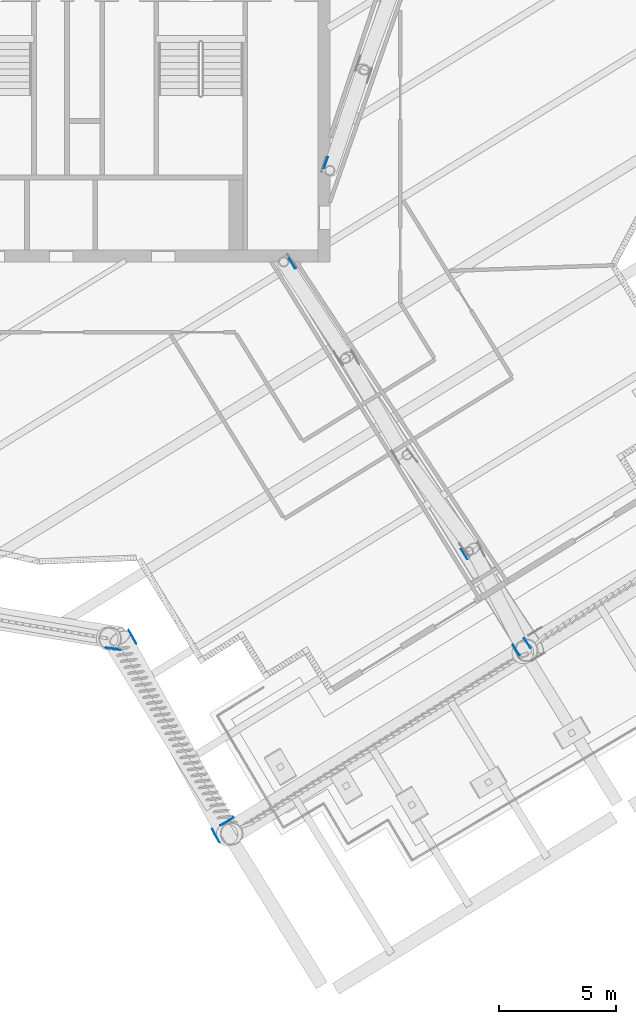
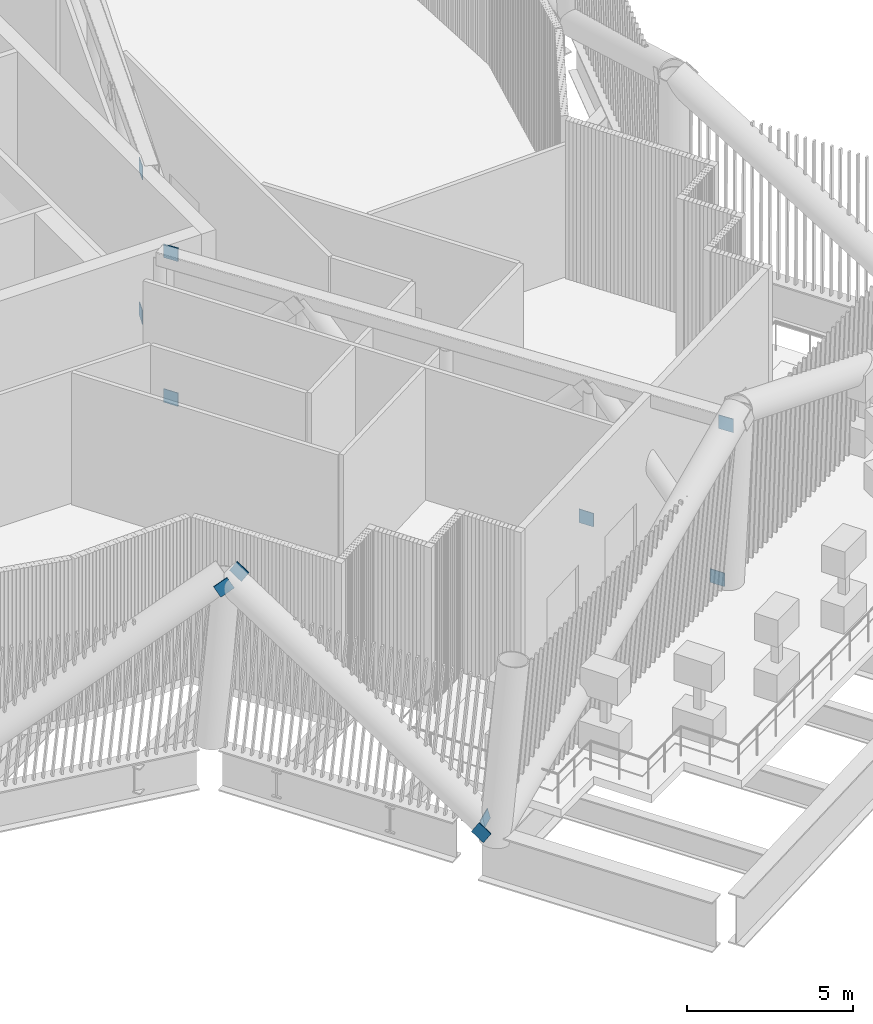
# One storey, part 20 of 40: 11 discrete accessories.
"""IFC4 building model written with IfcOpenShell, lengths in metres."""

from ifc_helpers import new_model, si_unit, direction, frame, origin, origin_2d, place, context, subcontext, project, spatial, rectangle, extrude, material, material_profile, profile_set, type_object, element, save


model = new_model("IFC4")

# Units and contexts
model_context = context("Model", 3, precision=1e-05, world=origin(), true_north=direction((0.0, 1.0)))
body_context = subcontext(model_context, "Body", "Model", "MODEL_VIEW")
ifc_project = project(units=[si_unit("LENGTHUNIT", "METRE"), si_unit("AREAUNIT", "SQUARE_METRE"), si_unit("VOLUMEUNIT", "CUBIC_METRE"), si_unit("PLANEANGLEUNIT", "RADIAN"), si_unit("MASSUNIT", "GRAM", prefix="KILO")], contexts=[model_context])

# Site, building, storey
site_placement = place(None, origin())
site = spatial("IfcSite", under=ifc_project, at=site_placement, CompositionType="ELEMENT")
building_placement = place(site_placement, origin())
building = spatial("IfcBuilding", under=site, at=building_placement, Name="Tarsis Ring Headquarters", CompositionType="ELEMENT")
storey_placement = place(building_placement, frame((0.0, 0.0, 354.800048828125)))
storey = spatial("IfcBuildingStorey", under=building, at=storey_placement, Name="L84", CompositionType="ELEMENT", Elevation=354.800048828125)

# Discrete accessories
ifc_material = material(Name="Structural steel S355", Category="steel")
ifc_material_profile = material_profile(ifc_material, rectangle(XDim=0.02490234375, YDim=0.5, at=origin_2d()), Name="PL 25x500")
ifc_profile_set = profile_set([ifc_material_profile], Name="Structural steel S355")
discrete_accessory_type_1 = type_object("IfcDiscreteAccessoryType", Name="Gusset plate Belt truss 25", PredefinedType="BRACKET", material=ifc_profile_set)
discrete_accessory_1_placement = place(storey_placement, frame((0.98095703125, -29.51806640625, 6.0), z_axis=(-0.871926676819, 0.140113637316, -0.469160994638), x_axis=(-0.15865884896, -0.98733346426, 0.0)))
element("IfcDiscreteAccessory", 1, at=discrete_accessory_1_placement, inside=storey, type_object=discrete_accessory_type_1, Name="Gusset plate GP4", PredefinedType="BRACKET", context=body_context, shape_type="SweptSolid", body=[
    extrude(rectangle(XDim=0.02490234375, YDim=0.5, at=origin_2d()), origin(), (0.0, 0.0, 1.0), 0.5),
])
discrete_accessory_2_placement = place(storey_placement, frame((5.248046875, -37.626708984375, 0.0), z_axis=(-0.409823014075, 0.741002994459, 0.531939526016), x_axis=(-0.875080826131, -0.483976804959, 0.0)))
element("IfcDiscreteAccessory", 2, at=discrete_accessory_2_placement, inside=storey, type_object=discrete_accessory_type_1, Name="Gusset plate GP4", PredefinedType="BRACKET", context=body_context, shape_type="SweptSolid", body=[
    extrude(rectangle(XDim=0.02490234375, YDim=0.5, at=origin_2d()), origin(), (0.0, 0.0, 1.0), 0.499755859375),
])
for number, where, z_axis, x_axis, name in (
    (3, (1.49267578125, -28.78955078125, 6.0), (0.409568330372, -0.741030662104, -0.53209711574), (0.875215841411, 0.48373260273, 0.0), "Gusset plate GP4"),
    (4, (5.421142578125, -36.966064453125, 0.0), (0.793002310011, 0.489766820777, 0.362320020953), (-0.525470573012, 0.850811775246, 0.0), "Gusset plate GP4"),
):
    element("IfcDiscreteAccessory", number, at=place(storey_placement, frame(where, z_axis=z_axis, x_axis=x_axis)), inside=storey, type_object=discrete_accessory_type_1, Name=name, PredefinedType="BRACKET", context=body_context, shape_type="SweptSolid", body=[
        extrude(rectangle(XDim=0.02490234375, YDim=0.5, at=origin_2d()), origin(), (0.0, 0.0, 1.0), 0.5),
    ])
discrete_accessory_type_2 = type_object("IfcDiscreteAccessoryType", Name="Gusset plate Outrigger chord 25", PredefinedType="BRACKET", material=ifc_profile_set)
discrete_accessory_3_placement = place(storey_placement, frame((9.748291015625, -9.01220703125, 0.25390625), z_axis=(0.329959042582, 0.943995249044, 0.0), x_axis=(-0.943995249044, 0.329959042582, 0.0)))
element("IfcDiscreteAccessory", 5, at=discrete_accessory_3_placement, inside=storey, type_object=discrete_accessory_type_2, Name="Gusset plate GP3", PredefinedType="BRACKET", context=body_context, shape_type="SweptSolid", body=[
    extrude(rectangle(XDim=0.02490234375, YDim=0.5, at=origin_2d()), origin(), (0.0, 0.0, 1.0), 0.500244140625),
])
for number, where, z_axis, x_axis, name in (
    (6, (9.747314453125, -9.015380859375, 5.5859375), (0.316960245491, 0.948438823951, 0.0), (-0.948438823951, 0.316960245491, 0.0), "Gusset plate GP3"),
    (7, (8.26318359375, -12.85986328125, 0.25390625), (0.525867058306, -0.850566773974, 0.0), (0.850566773974, 0.525867058306, 0.0), "Gusset plate GP3"),
    (8, (18.072021484375, -29.740478515625, 0.25390625), (-0.525867058306, 0.850566773974, 0.0), (-0.850566773974, -0.525867058306, 0.0), "Gusset plate GP3"),
    (9, (8.259033203125, -12.853515625, 5.5859375), (0.550297888819, -0.834968402733, 0.0), (0.834968402733, 0.550297888819, 0.0), "Gusset plate GP3"),
):
    element("IfcDiscreteAccessory", number, at=place(storey_placement, frame(where, z_axis=z_axis, x_axis=x_axis)), inside=storey, type_object=discrete_accessory_type_2, Name=name, PredefinedType="BRACKET", context=body_context, shape_type="SweptSolid", body=[
        extrude(rectangle(XDim=0.02490234375, YDim=0.5, at=origin_2d()), origin(), (0.0, 0.0, 1.0), 0.5),
    ])
discrete_accessory_4_placement = place(storey_placement, frame((18.551025390625, -29.44775390625, 5.5859375), z_axis=(-0.549957332417, 0.835192751717, 0.0), x_axis=(-0.835192751717, -0.549957332417, 0.0)))
element("IfcDiscreteAccessory", 10, at=discrete_accessory_4_placement, inside=storey, type_object=discrete_accessory_type_2, Name="Gusset plate GP3", PredefinedType="BRACKET", context=body_context, shape_type="SweptSolid", body=[
    extrude(rectangle(XDim=0.02490234375, YDim=0.5, at=origin_2d()), origin(), (0.0, 0.0, 1.0), 0.499755859375),
])
discrete_accessory_5_placement = place(storey_placement, frame((15.727783203125, -25.451416015625, 0.508056640625), z_axis=(0.0, 0.0, 1.0), x_axis=(-0.85059070548, -0.525828348181, 0.0)))
element("IfcDiscreteAccessory", 11, at=discrete_accessory_5_placement, inside=storey, type_object=discrete_accessory_type_2, Name="Gusset plate GP3", PredefinedType="BRACKET", context=body_context, shape_type="SweptSolid", body=[
    extrude(rectangle(XDim=0.02490234375, YDim=0.5, at=origin_2d()), origin(), (0.0, 0.0, 1.0), 0.5),
])

save(model, "model.ifc")
